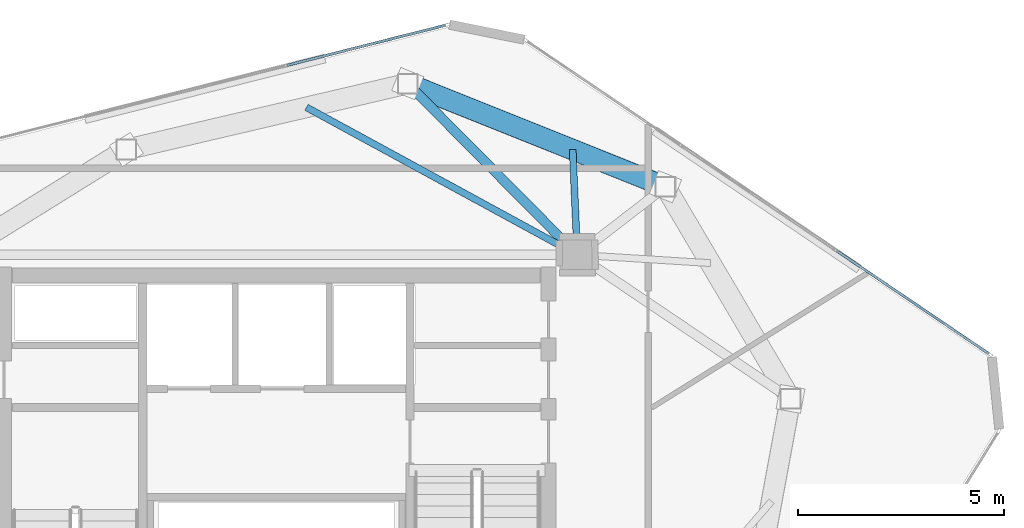
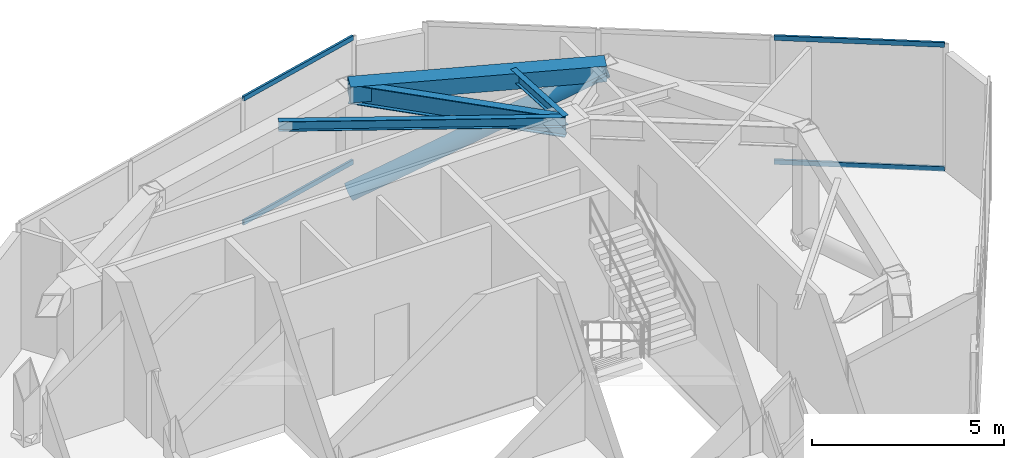
# One storey, part 14 of 21: 5 members, 4 beams, 2 elements without a shape of their own.
"""IFC4 building model written with IfcOpenShell, lengths in metres."""

from ifc_helpers import new_model, si_unit, direction, frame, origin, origin_2d, place, context, subcontext, project, spatial, hollow_rectangle, hollow_circle, i_section, extrude, source, transform, mapped, material, layer, layer_set, material_profile, profile_set, type_object, type_shapes, element, aggregate, save


model = new_model("IFC4")

# Units and contexts
model_context = context("Model", 3, precision=1e-05, world=origin(), true_north=direction((0.0, 1.0)))
body_context = subcontext(model_context, "Body", "Model", "MODEL_VIEW")
ifc_project = project(units=[si_unit("LENGTHUNIT", "METRE"), si_unit("AREAUNIT", "SQUARE_METRE"), si_unit("VOLUMEUNIT", "CUBIC_METRE"), si_unit("PLANEANGLEUNIT", "RADIAN"), si_unit("MASSUNIT", "GRAM", prefix="KILO")], contexts=[model_context])

# Site, building, storey
site_placement = place(None, origin())
site = spatial("IfcSite", under=ifc_project, at=site_placement, CompositionType="ELEMENT")
building_placement = place(site_placement, origin())
building = spatial("IfcBuilding", under=site, at=building_placement, Name="Talar Marvaseh", CompositionType="ELEMENT")
storey_placement = place(building_placement, frame((0.0, 0.0, 300.0)))
storey = spatial("IfcBuildingStorey", under=building, at=storey_placement, Name="L80", CompositionType="ELEMENT", Elevation=300.0)

# Beams
ifc_material_1 = material(Name="Steel S460", Category="steel")
ifc_material_profile_1 = material_profile(ifc_material_1, hollow_rectangle(XDim=0.5, YDim=0.5, WallThickness=0.02490234375, at=origin_2d()), Name="BOX500x500x25")
ifc_profile_set_1 = profile_set([ifc_material_profile_1], Name="Steel S460")
beam_type_1 = type_object("IfcBeamType", Name="Crown Frame Top Ring Beam BOX500x500x25", PredefinedType="BEAM", material=ifc_profile_set_1)
beam_1_placement = place(storey_placement, frame((29.18798828125, 41.052001953125, 3.489990234375), z_axis=(0.928426659475, -0.371515730456, 0.0), x_axis=(0.371515730456, 0.928426659475, 0.0)))
element("IfcBeam", 1, at=beam_1_placement, inside=storey, type_object=beam_type_1, Name="L80 Crown Frame Top Ring Beam BOX500x500x25", PredefinedType="BEAM", context=body_context, shape_type="SweptSolid", body=[
    extrude(hollow_rectangle(XDim=0.5, YDim=0.5, WallThickness=0.02490234375, at=origin_2d()), origin(), (0.0, 0.0, 1.0), 6.73193359375),
])
ifc_material_2 = material(Name="Steel S355", Category="steel")
ifc_material_profile_2 = material_profile(ifc_material_2, i_section(OverallWidth=0.166015625, OverallDepth=0.31298828125, WebThickness=0.006591796875, FlangeThickness=0.01123046875, at=origin_2d()), Name="W310x45")
ifc_profile_set_2 = profile_set([ifc_material_profile_2], Name="Steel S355")
beam_type_2 = type_object("IfcBeamType", Name="Zone 3 Secondary Floor Joist W310x45", PredefinedType="JOIST", material=ifc_profile_set_2)
beam_2_placement = place(storey_placement, frame((26.731689453125, 40.476806640625, 3.58349609375), z_axis=(0.878223458764, -0.478250516442, 0.0), x_axis=(0.478250516442, 0.878223458764, 0.0)))
element("IfcBeam", 2, at=beam_2_placement, inside=storey, type_object=beam_type_2, Name="L80 Zone 3 Secondary Floor Joist W310x45", PredefinedType="JOIST", context=body_context, shape_type="SweptSolid", body=[
    extrude(i_section(OverallWidth=0.166015625, OverallDepth=0.31298828125, WebThickness=0.006591796875, FlangeThickness=0.01123046875, at=origin_2d()), origin(), (0.0, 0.0, 1.0), 7.479248046875),
])
beam_3_placement = place(storey_placement, frame((33.18798828125, 39.451416015625, 3.58349609375), z_axis=(0.043876945448, -0.99903694309, 0.0), x_axis=(0.99903694309, 0.043876945448, 0.0)))
element("IfcBeam", 3, at=beam_3_placement, inside=storey, type_object=beam_type_2, Name="L80 Zone 3 Secondary Floor Joist W310x45", PredefinedType="JOIST", context=body_context, shape_type="SweptSolid", body=[
    extrude(i_section(OverallWidth=0.166015625, OverallDepth=0.31298828125, WebThickness=0.006591796875, FlangeThickness=0.01123046875, at=origin_2d()), origin(), (0.0, 0.0, 1.0), 2.553955078125),
])
ifc_material_profile_3 = material_profile(ifc_material_2, i_section(OverallWidth=0.22998046875, OverallDepth=0.616943359375, WebThickness=0.01318359375, FlangeThickness=0.022216796875, at=origin_2d()), Name="W610x140")
ifc_profile_set_3 = profile_set([ifc_material_profile_3], Name="Steel S355")
beam_type_3 = type_object("IfcBeamType", Name="Zone 4 Radial Floor Girder W610x140", PredefinedType="BEAM", material=ifc_profile_set_3)
beam_4_placement = place(storey_placement, frame((29.18798828125, 41.052001953125, 3.431396484375), z_axis=(0.703672658083, -0.710524306598, 0.0), x_axis=(0.710524306598, 0.703672658083, 0.0)))
element("IfcBeam", 4, at=beam_4_placement, inside=storey, type_object=beam_type_3, Name="L80 Zone 4 Radial Floor Girder W610x140", PredefinedType="BEAM", context=body_context, shape_type="SweptSolid", body=[
    extrude(i_section(OverallWidth=0.22998046875, OverallDepth=0.616943359375, WebThickness=0.01318359375, FlangeThickness=0.022216796875, at=origin_2d()), origin(), (0.0, 0.0, 1.0), 5.84375),
])

# Member
ifc_material_profile_4 = material_profile(ifc_material_1, hollow_circle(Radius=0.25390625, WallThickness=0.02001953125, at=origin_2d()), Name="CHS508x20")
ifc_profile_set_4 = profile_set([ifc_material_profile_4], Name="Steel S460")
member_type_1 = type_object("IfcMemberType", Name="Crown Frame Diagonal Brace CHS508x20", PredefinedType="BRACE", material=ifc_profile_set_4)
shared_shape_1 = source(origin(), body_context, "Body", "SweptSolid", [
    extrude(hollow_circle(Radius=0.25390625, WallThickness=0.02001953125, at=origin_2d()), origin(), (0.0, 0.0, 1.0), 7.470947265625),
])
type_shapes(member_type_1, [shared_shape_1])
member_1_placement = place(storey_placement, frame((29.18798828125, 41.052001953125, 0.25), z_axis=(0.836574961604, -0.334760699479, 0.433679152947), x_axis=(0.371515730456, 0.928426659475, 0.0)))
element("IfcMember", 5, at=member_1_placement, inside=storey, type_object=member_type_1, Name="L80 Crown Frame Diagonal Brace 5", PredefinedType="BRACE", context=body_context, shape_type="MappedRepresentation", body=[
    mapped(shared_shape_1, transform((0.0, 0.0, 0.0), x_axis=(1.0, 0.0, 0.0), y_axis=(0.0, 1.0, 0.0), z_axis=(0.0, 0.0, 1.0), scale=1.0)),
])

# Curtain wall, members
ifc_material_3 = material(Name="Architectural Aluminium", Category="aluminium")
ifc_layer = layer(ifc_material_3, 0.2099609375)
ifc_layer_set = layer_set([ifc_layer], Name="Architectural Aluminium")
curtain_wall_type = type_object("IfcCurtainWallType", Name="Crown Plant Acoustic Spandrel Curtain Wall", PredefinedType="NOTDEFINED", material=ifc_layer_set)
curtain_wall_1_placement = place(storey_placement, origin())
curtain_wall_1 = element("IfcCurtainWall", 6, at=curtain_wall_1_placement, inside=storey, type_object=curtain_wall_type, Name="L80 Crown Plant Acoustic Spandrel Curtain Wall", PredefinedType="NOTDEFINED")
ifc_material_profile_5 = material_profile(ifc_material_3, hollow_rectangle(XDim=0.06494140625, YDim=0.14990234375, WallThickness=0.00390625, at=origin_2d()), Name="RHS150x65x4")
ifc_profile_set_5 = profile_set([ifc_material_profile_5], Name="Architectural Aluminium")
member_type_2 = type_object("IfcMemberType", Name="Unitised Curtain Wall Slim Transom RHS150x65x4", PredefinedType="USERDEFINED", material=ifc_profile_set_5)
shared_shape_2 = source(origin(), body_context, "Body", "SweptSolid", [
    extrude(hollow_rectangle(XDim=0.06494140625, YDim=0.14990234375, WallThickness=0.00390625, at=origin_2d()), origin(), (0.0, 0.0, 1.0), 4.447509765625),
])
member_2_placement = place(storey_placement, frame((39.594482421875, 36.9951171875, 0.032470703125), z_axis=(0.828111040241, -0.560564095382, 0.0), x_axis=(0.560564095382, 0.828111040241, 0.0)))
member_2 = element("IfcMember", 7, at=member_2_placement, type_object=member_type_2, Name="CW-CRN transom 3.1", ObjectType="TRANSOM", PredefinedType="USERDEFINED", context=body_context, shape_type="MappedRepresentation", body=[
    mapped(shared_shape_2, transform((0.0, 0.0, 0.0), x_axis=(1.0, 0.0, 0.0), y_axis=(0.0, 1.0, 0.0), z_axis=(0.0, 0.0, 1.0), scale=1.0)),
])
member_3_placement = place(storey_placement, frame((39.594482421875, 36.9951171875, 3.967529296875), z_axis=(0.828111040241, -0.560564095382, 0.0), x_axis=(0.560564095382, 0.828111040241, 0.0)))
member_3 = element("IfcMember", 8, at=member_3_placement, type_object=member_type_2, Name="CW-CRN transom 3.2", ObjectType="TRANSOM", PredefinedType="USERDEFINED", context=body_context, shape_type="MappedRepresentation", body=[
    mapped(shared_shape_2, transform((0.0, 0.0, 0.0), x_axis=(1.0, 0.0, 0.0), y_axis=(0.0, 1.0, 0.0), z_axis=(0.0, 0.0, 1.0), scale=1.0)),
])
aggregate(curtain_wall_1, [member_2, member_3])

curtain_wall_2_placement = place(storey_placement, origin())
curtain_wall_2 = element("IfcCurtainWall", 9, at=curtain_wall_2_placement, inside=storey, type_object=curtain_wall_type, Name="L80 Crown Plant Acoustic Spandrel Curtain Wall", PredefinedType="NOTDEFINED")
shared_shape_3 = source(origin(), body_context, "Body", "SweptSolid", [
    extrude(hollow_rectangle(XDim=0.06494140625, YDim=0.14990234375, WallThickness=0.00390625, at=origin_2d()), origin(), (0.0, 0.0, 1.0), 3.97119140625),
])
type_shapes(member_type_2, [shared_shape_2, shared_shape_3])
member_4_placement = place(storey_placement, frame((26.259033203125, 41.494873046875, 0.032470703125), z_axis=(0.969524592858, 0.24499400777, 0.0), x_axis=(-0.24499400777, 0.969524592858, 0.0)))
member_4 = element("IfcMember", 10, at=member_4_placement, type_object=member_type_2, Name="CW-CRN transom 3.1", ObjectType="TRANSOM", PredefinedType="USERDEFINED", context=body_context, shape_type="MappedRepresentation", body=[
    mapped(shared_shape_3, transform((0.0, 0.0, 0.0), x_axis=(1.0, 0.0, 0.0), y_axis=(0.0, 1.0, 0.0), z_axis=(0.0, 0.0, 1.0), scale=1.0)),
])
member_5_placement = place(storey_placement, frame((26.259033203125, 41.494873046875, 3.967529296875), z_axis=(0.969524592858, 0.24499400777, 0.0), x_axis=(-0.24499400777, 0.969524592858, 0.0)))
member_5 = element("IfcMember", 11, at=member_5_placement, type_object=member_type_2, Name="CW-CRN transom 3.2", ObjectType="TRANSOM", PredefinedType="USERDEFINED", context=body_context, shape_type="MappedRepresentation", body=[
    mapped(shared_shape_3, transform((0.0, 0.0, 0.0), x_axis=(1.0, 0.0, 0.0), y_axis=(0.0, 1.0, 0.0), z_axis=(0.0, 0.0, 1.0), scale=1.0)),
])
aggregate(curtain_wall_2, [member_4, member_5])

save(model, "model.ifc")
